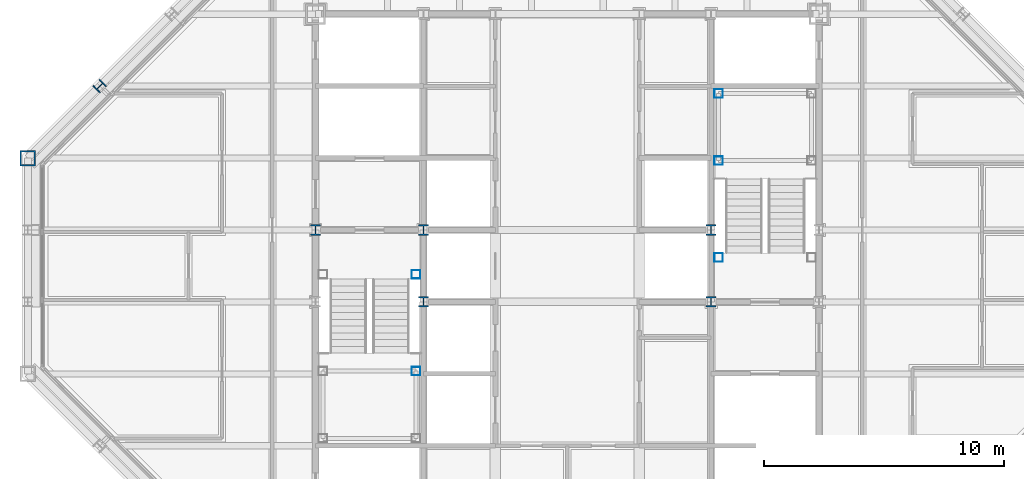
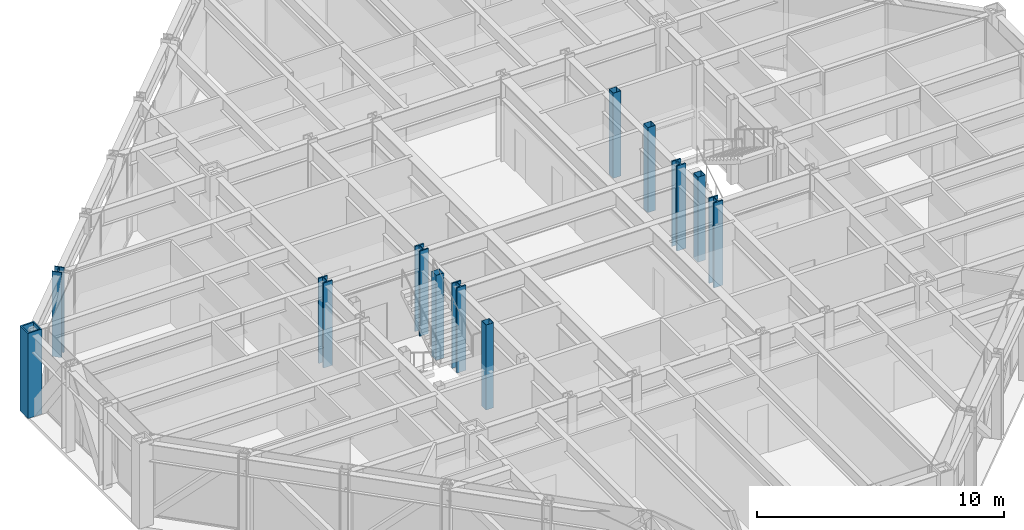
# One storey, part 2 of 15: 12 columns.
"""IFC4 building model written with IfcOpenShell, lengths in metres."""

from ifc_helpers import new_model, si_unit, direction, frame, origin, origin_2d, place, context, subcontext, project, spatial, hollow_rectangle, i_section, extrude, material, material_profile, profile_set, type_object, element, save


model = new_model("IFC4")

# Units and contexts
model_context = context("Model", 3, precision=1e-05, world=origin(), true_north=direction((0.0, 1.0)))
body_context = subcontext(model_context, "Body", "Model", "MODEL_VIEW")
ifc_project = project(units=[si_unit("LENGTHUNIT", "METRE"), si_unit("AREAUNIT", "SQUARE_METRE"), si_unit("VOLUMEUNIT", "CUBIC_METRE"), si_unit("PLANEANGLEUNIT", "RADIAN"), si_unit("MASSUNIT", "GRAM", prefix="KILO")], contexts=[model_context])

# Site, building, storey
site_placement = place(None, origin())
site = spatial("IfcSite", under=ifc_project, at=site_placement, CompositionType="ELEMENT")
building_placement = place(site_placement, origin())
building = spatial("IfcBuilding", under=site, at=building_placement, Name="Chuquiago Exchange Tower", CompositionType="ELEMENT")
storey_placement = place(building_placement, frame((0.0, 0.0, 291.60009765625)))
storey = spatial("IfcBuildingStorey", under=building, at=storey_placement, Name="L65", CompositionType="ELEMENT", Elevation=291.60009765625)

# Columns
ifc_material_1 = material(Name="Steel ASTM A992", Category="steel")
ifc_material_profile_1 = material_profile(ifc_material_1, i_section(OverallWidth=0.41650390625, OverallDepth=0.444580078125, WebThickness=0.0390625, FlangeThickness=0.062744140625, at=origin_2d()), Name="W14X342")
ifc_profile_set_1 = profile_set([ifc_material_profile_1], Name="Steel ASTM A992")
column_type_1 = type_object("IfcColumnType", Name="CC9 W14X342", PredefinedType="COLUMN", material=ifc_profile_set_1)
for number, where, z_axis, x_axis, name in (
    (1, (12.0, 24.0, 0.0), (0.0, 0.0, 1.0), (1.0, 0.0, 0.0), "CCOL-L65-12_24"),
    (2, (16.5, 21.0, 0.0), (0.0, 0.0, 1.0), (1.0, 0.0, 0.0), "CCOL-L65-16.5_21"),
    (3, (16.5, 24.0, 0.0), (0.0, 0.0, 1.0), (1.0, 0.0, 0.0), "CCOL-L65-16.5_24"),
    (4, (28.5, 21.0, 0.0), (0.0, 0.0, 1.0), (1.0, 0.0, 0.0), "CCOL-L65-28.5_21"),
    (5, (28.5, 24.0, 0.0), (0.0, 0.0, 1.0), (1.0, 0.0, 0.0), "CCOL-L65-28.5_24"),
):
    element("IfcColumn", number, at=place(storey_placement, frame(where, z_axis=z_axis, x_axis=x_axis)), inside=storey, type_object=column_type_1, Name=name, PredefinedType="COLUMN", context=body_context, shape_type="SweptSolid", body=[
        extrude(i_section(OverallWidth=0.41650390625, OverallDepth=0.444580078125, WebThickness=0.0390625, FlangeThickness=0.062744140625, at=origin_2d()), origin(), (0.0, 0.0, 1.0), 4.199951171875),
    ])
ifc_material_2 = material(Name="Steel ASTM A992", Category="steel")
ifc_material_profile_2 = material_profile(ifc_material_2, i_section(OverallWidth=0.40380859375, OverallDepth=0.406494140625, WebThickness=0.027099609375, FlangeThickness=0.043701171875, at=origin_2d()), Name="W14X233")
ifc_profile_set_2 = profile_set([ifc_material_profile_2], Name="Steel ASTM A992")
column_type_2 = type_object("IfcColumnType", Name="CK8 W14X233", PredefinedType="COLUMN", material=ifc_profile_set_2)
column_1_placement = place(storey_placement, frame((3.0, 30.0, 0.0), z_axis=(0.0, 0.0, 1.0), x_axis=(-0.707106781187, 0.707106781187, 0.0)))
element("IfcColumn", 6, at=column_1_placement, inside=storey, type_object=column_type_2, Name="COL-L65-3_30", PredefinedType="COLUMN", context=body_context, shape_type="SweptSolid", body=[
    extrude(i_section(OverallWidth=0.40380859375, OverallDepth=0.406494140625, WebThickness=0.027099609375, FlangeThickness=0.043701171875, at=origin_2d()), origin(), (0.0, 0.0, 1.0), 4.199951171875),
])
ifc_material_3 = material(Name="Steel ASTM A572 Grade 50", Category="steel")
ifc_material_profile_3 = material_profile(ifc_material_3, hollow_rectangle(XDim=0.64990234375, YDim=0.64990234375, WallThickness=0.06494140625, at=origin_2d()), Name="BOX650X650X65")
ifc_profile_set_3 = profile_set([ifc_material_profile_3], Name="Steel ASTM A572 Grade 50")
column_type_3 = type_object("IfcColumnType", Name="CN2 BOX650X650X65", PredefinedType="COLUMN", material=ifc_profile_set_3)
column_2_placement = place(storey_placement, frame((0.0, 27.0, 0.0), z_axis=(0.0, 0.0, 1.0), x_axis=(-1.0, 0.0, 0.0)))
element("IfcColumn", 7, at=column_2_placement, inside=storey, type_object=column_type_3, Name="COL-L65-0_27", PredefinedType="COLUMN", context=body_context, shape_type="SweptSolid", body=[
    extrude(hollow_rectangle(XDim=0.64990234375, YDim=0.64990234375, WallThickness=0.06494140625, at=origin_2d()), origin(), (0.0, 0.0, 1.0), 4.199951171875),
])
ifc_material_4 = material(Name="Steel ASTM A500 Grade C", Category="steel")
ifc_material_profile_4 = material_profile(ifc_material_4, hollow_rectangle(XDim=0.355712890625, YDim=0.355712890625, WallThickness=0.0087890625, at=origin_2d()), Name="HSS14X14X3/8")
ifc_profile_set_4 = profile_set([ifc_material_profile_4], Name="Steel ASTM A500 Grade C")
column_type_4 = type_object("IfcColumnType", Name="PT1 HSS14X14X3/8", PredefinedType="COLUMN", material=ifc_profile_set_4)
for number, where, z_axis, x_axis, name in (
    (8, (16.18994140625, 18.110107421875, 0.0), (0.0, 0.0, 1.0), (1.0, 0.0, 0.0), "Stair ST1 L65 landing post"),
    (9, (16.18994140625, 22.14990234375, 0.0), (0.0, 0.0, 1.0), (1.0, 0.0, 0.0), "Stair ST1 L65 landing post"),
    (10, (28.81005859375, 29.68994140625, 0.0), (0.0, 0.0, 1.0), (1.0, 0.0, 0.0), "Stair ST2 L65 landing post"),
    (11, (28.81005859375, 26.889892578125, 0.0), (0.0, 0.0, 1.0), (1.0, 0.0, 0.0), "Stair ST2 L65 landing post"),
    (12, (28.81005859375, 22.85009765625, 0.0), (0.0, 0.0, 1.0), (1.0, 0.0, 0.0), "Stair ST2 L65 landing post"),
):
    element("IfcColumn", number, at=place(storey_placement, frame(where, z_axis=z_axis, x_axis=x_axis)), inside=storey, type_object=column_type_4, Name=name, PredefinedType="COLUMN", context=body_context, shape_type="SweptSolid", body=[
        extrude(hollow_rectangle(XDim=0.355712890625, YDim=0.355712890625, WallThickness=0.0087890625, at=origin_2d()), origin(), (0.0, 0.0, 1.0), 4.199951171875),
    ])

save(model, "model.ifc")
